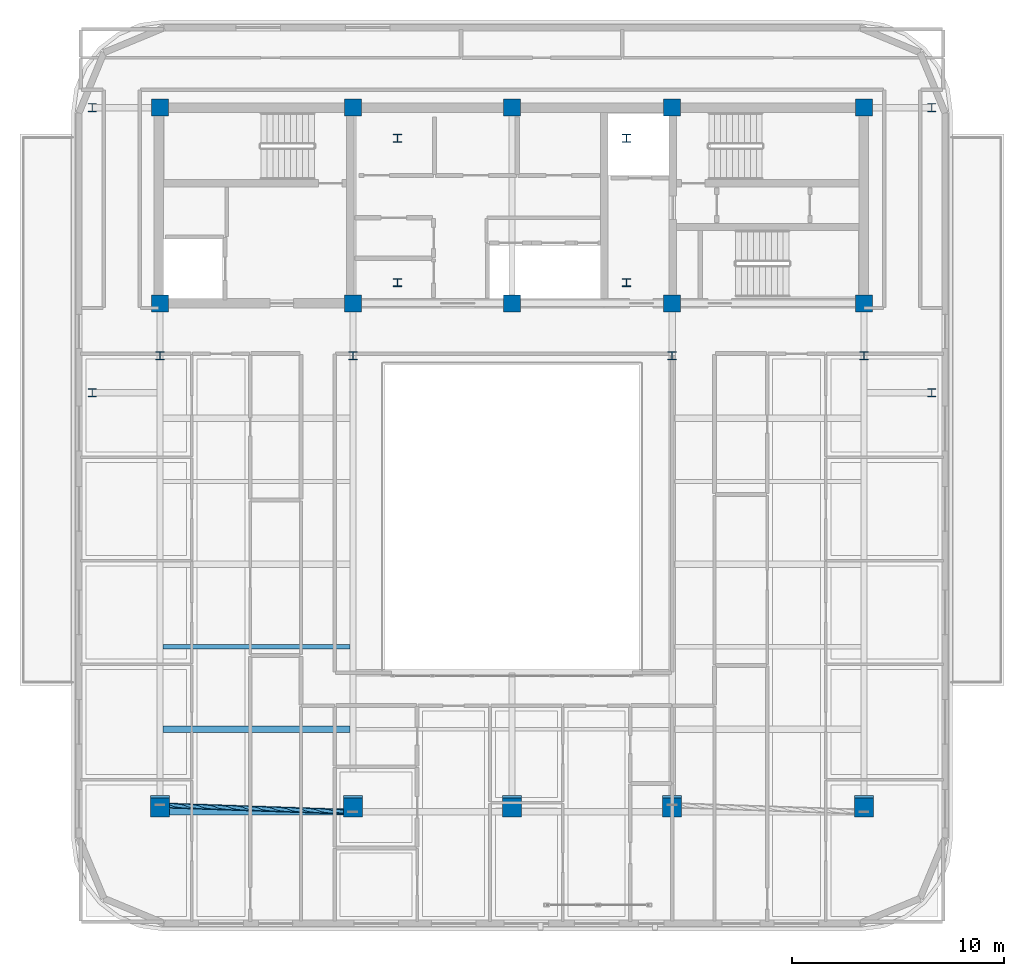
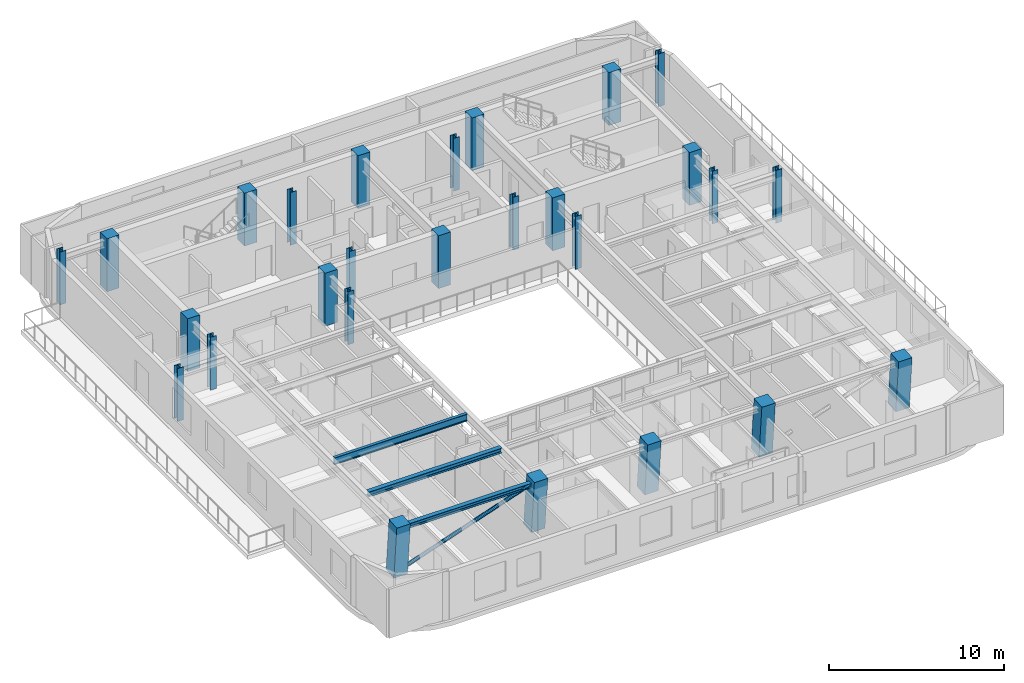
# One storey, part 1 of 14: 27 columns, 3 beams, 1 member.
"""IFC4 building model written with IfcOpenShell, lengths in metres."""

from ifc_helpers import new_model, si_unit, direction, frame, origin, origin_2d, place, context, subcontext, project, spatial, rectangle, hollow_circle, i_section, extrude, material, material_profile, profile_set, type_object, element, save


model = new_model("IFC4")

# Units and contexts
model_context = context("Model", 3, precision=1e-05, world=origin(), true_north=direction((0.0, 1.0)))
body_context = subcontext(model_context, "Body", "Model", "MODEL_VIEW")
ifc_project = project(units=[si_unit("LENGTHUNIT", "METRE"), si_unit("AREAUNIT", "SQUARE_METRE"), si_unit("VOLUMEUNIT", "CUBIC_METRE"), si_unit("PLANEANGLEUNIT", "RADIAN"), si_unit("MASSUNIT", "GRAM", prefix="KILO")], contexts=[model_context])

# Site, building, storey
site_placement = place(None, origin())
site = spatial("IfcSite", under=ifc_project, at=site_placement, CompositionType="ELEMENT")
building_placement = place(site_placement, origin())
building = spatial("IfcBuilding", under=site, at=building_placement, Name="Zarnavel Station Tower", CompositionType="ELEMENT")
storey_placement = place(building_placement, frame((0.0, 0.0, 243.60009765625)))
storey = spatial("IfcBuildingStorey", under=building, at=storey_placement, Name="L66", CompositionType="ELEMENT", Elevation=243.60009765625)

# Columns
ifc_material_1 = material(Name="Steel S355J2", Category="steel")
ifc_material_profile_1 = material_profile(ifc_material_1, i_section(OverallWidth=0.407958984375, OverallDepth=0.39990234375, WebThickness=0.02490234375, FlangeThickness=0.0390625, FilletRadius=0.014892578125, at=origin_2d()), Name="HD400x287")
ifc_profile_set_1 = profile_set([ifc_material_profile_1], Name="Steel S355J2")
column_type_1 = type_object("IfcColumnType", Name="EC_HD287", PredefinedType="COLUMN", material=ifc_profile_set_1)
for number, where, z_axis, x_axis, name in (
    (1, (9.0, 23.60009765625, 0.0), (0.0, 0.0, 1.0), (1.0, 0.0, 0.0), "L66 Inner Wing Spine Column 1-1"),
    (2, (9.0, 37.050048828125, 0.0), (0.0, 0.0, 1.0), (1.0, 0.0, 0.0), "L66 Inner Wing Spine Column 1-2"),
    (3, (48.60009765625, 23.60009765625, 0.0), (0.0, 0.0, 1.0), (1.0, 0.0, 0.0), "L66 Inner Wing Spine Column 2-1"),
    (4, (48.60009765625, 37.050048828125, 0.0), (0.0, 0.0, 1.0), (1.0, 0.0, 0.0), "L66 Inner Wing Spine Column 2-2"),
):
    element("IfcColumn", number, at=place(storey_placement, frame(where, z_axis=z_axis, x_axis=x_axis)), inside=storey, type_object=column_type_1, Name=name, PredefinedType="COLUMN", context=body_context, shape_type="SweptSolid", body=[
        extrude(i_section(OverallWidth=0.407958984375, OverallDepth=0.39990234375, WebThickness=0.02490234375, FlangeThickness=0.0390625, FilletRadius=0.014892578125, at=origin_2d()), origin(), (0.0, 0.0, 1.0), 3.699951171875),
    ])
ifc_material_2 = material(Name="Steel S355J2", Category="steel")
ifc_material_profile_2 = material_profile(ifc_material_2, i_section(OverallWidth=0.39501953125, OverallDepth=0.3798828125, WebThickness=0.018798828125, FlangeThickness=0.0302734375, FilletRadius=0.014892578125, at=origin_2d()), Name="HD400x237")
ifc_profile_set_2 = profile_set([ifc_material_profile_2], Name="Steel S355J2")
column_type_2 = type_object("IfcColumnType", Name="IC_HD237", PredefinedType="COLUMN", material=ifc_profile_set_2)
for number, where, z_axis, x_axis, name in (
    (5, (23.39990234375, 28.800048828125, 0.0), (0.0, 0.0, 1.0), (1.0, 0.0, 0.0), "L66 Mast Spine Column 1"),
    (6, (34.199951171875, 28.800048828125, 0.0), (0.0, 0.0, 1.0), (1.0, 0.0, 0.0), "L66 Mast Spine Column 2"),
    (7, (34.199951171875, 35.60009765625, 0.0), (0.0, 0.0, 1.0), (1.0, 0.0, 0.0), "L66 Mast Spine Column 3"),
    (8, (23.39990234375, 35.60009765625, 0.0), (0.0, 0.0, 1.0), (1.0, 0.0, 0.0), "L66 Mast Spine Column 4"),
    (9, (12.199951171875, 25.35009765625, 0.0), (0.0, 0.0, 1.0), (1.0, 0.0, 0.0), "L66 Inner Spine Column 1"),
    (10, (21.300048828125, 25.35009765625, 0.0), (0.0, 0.0, 1.0), (1.0, 0.0, 0.0), "L66 Inner Spine Column 2"),
    (11, (36.35009765625, 25.35009765625, 0.0), (0.0, 0.0, 1.0), (1.0, 0.0, 0.0), "L66 Inner Spine Column 4"),
    (12, (45.39990234375, 25.35009765625, 0.0), (0.0, 0.0, 1.0), (1.0, 0.0, 0.0), "L66 Inner Spine Column 5"),
):
    element("IfcColumn", number, at=place(storey_placement, frame(where, z_axis=z_axis, x_axis=x_axis)), inside=storey, type_object=column_type_2, Name=name, PredefinedType="COLUMN", context=body_context, shape_type="SweptSolid", body=[
        extrude(i_section(OverallWidth=0.39501953125, OverallDepth=0.3798828125, WebThickness=0.018798828125, FlangeThickness=0.0302734375, FilletRadius=0.014892578125, at=origin_2d()), origin(), (0.0, 0.0, 1.0), 3.699951171875),
    ])
ifc_material_3 = material(Name="Concrete C45/55", Category="concrete")
ifc_material_profile_3 = material_profile(ifc_material_3, rectangle(XDim=0.800048828125, YDim=0.800048828125, at=origin_2d()), Name="RC800x800")
ifc_profile_set_3 = profile_set([ifc_material_profile_3], Name="Concrete C45/55")
column_type_3 = type_object("IfcColumnType", Name="IC_RC800", PredefinedType="COLUMN", material=ifc_profile_set_3)
for number, where, z_axis, x_axis, name in (
    (13, (12.199951171875, 27.820068359375, 0.0), (0.0, 0.0, 1.0), (1.0, 0.0, 0.0), "L66 Core Spine Column 1-1"),
    (14, (12.199951171875, 37.050048828125, 0.0), (0.0, 0.0, 1.0), (1.0, 0.0, 0.0), "L66 Core Spine Column 1-2"),
    (15, (21.300048828125, 27.820068359375, 0.0), (0.0, 0.0, 1.0), (1.0, 0.0, 0.0), "L66 Core Spine Column 2-1"),
    (16, (21.300048828125, 37.050048828125, 0.0), (0.0, 0.0, 1.0), (1.0, 0.0, 0.0), "L66 Core Spine Column 2-2"),
    (17, (28.800048828125, 27.820068359375, 0.0), (0.0, 0.0, 1.0), (1.0, 0.0, 0.0), "L66 Core Spine Column 3-1"),
    (18, (28.800048828125, 37.050048828125, 0.0), (0.0, 0.0, 1.0), (1.0, 0.0, 0.0), "L66 Core Spine Column 3-2"),
    (19, (36.35009765625, 27.820068359375, 0.0), (0.0, 0.0, 1.0), (1.0, 0.0, 0.0), "L66 Core Spine Column 4-1"),
    (20, (36.35009765625, 37.050048828125, 0.0), (0.0, 0.0, 1.0), (1.0, 0.0, 0.0), "L66 Core Spine Column 4-2"),
    (21, (45.39990234375, 27.820068359375, 0.0), (0.0, 0.0, 1.0), (1.0, 0.0, 0.0), "L66 Core Spine Column 5-1"),
    (22, (45.39990234375, 37.050048828125, 0.0), (0.0, 0.0, 1.0), (1.0, 0.0, 0.0), "L66 Core Spine Column 5-2"),
):
    element("IfcColumn", number, at=place(storey_placement, frame(where, z_axis=z_axis, x_axis=x_axis)), inside=storey, type_object=column_type_3, Name=name, PredefinedType="COLUMN", context=body_context, shape_type="SweptSolid", body=[
        extrude(rectangle(XDim=0.800048828125, YDim=0.800048828125, at=origin_2d()), origin(), (0.0, 0.0, 1.0), 3.699951171875),
    ])
ifc_material_4 = material(Name="Concrete C50/60", Category="concrete")
ifc_material_profile_4 = material_profile(ifc_material_4, rectangle(XDim=0.89990234375, YDim=0.89990234375, at=origin_2d()), Name="RC900x900")
ifc_profile_set_4 = profile_set([ifc_material_profile_4], Name="Concrete C50/60")
column_type_4 = type_object("IfcColumnType", Name="MC_RC900", PredefinedType="COLUMN", material=ifc_profile_set_4)
for number, where, z_axis, x_axis, name in (
    (23, (12.199951171875, 4.15283203125, 0.0), (0.0, -0.090227632116, 0.995921168769), (1.0, 0.0, 0.0), "L66 Raked South Mega-Column 1"),
    (24, (21.300048828125, 4.15283203125, 0.0), (0.0, -0.090227632116, 0.995921168769), (1.0, 0.0, 0.0), "L66 Raked South Mega-Column 2"),
    (25, (28.800048828125, 4.15283203125, 0.0), (0.0, -0.090227632116, 0.995921168769), (1.0, 0.0, 0.0), "L66 Raked South Mega-Column 3"),
    (26, (36.35009765625, 4.15283203125, 0.0), (0.0, -0.090227632116, 0.995921168769), (1.0, 0.0, 0.0), "L66 Raked South Mega-Column 4"),
    (27, (45.39990234375, 4.15283203125, 0.0), (0.0, -0.090227632116, 0.995921168769), (1.0, 0.0, 0.0), "L66 Raked South Mega-Column 5"),
):
    element("IfcColumn", number, at=place(storey_placement, frame(where, z_axis=z_axis, x_axis=x_axis)), inside=storey, type_object=column_type_4, Name=name, PredefinedType="COLUMN", context=body_context, shape_type="SweptSolid", body=[
        extrude(rectangle(XDim=0.89990234375, YDim=0.89990234375, at=origin_2d()), origin(), (0.0, 0.0, 1.0), 3.715087890625),
    ])

# Member
ifc_material_5 = material(Name="Steel S355J2", Category="steel")
ifc_material_profile_5 = material_profile(ifc_material_5, hollow_circle(Radius=0.122314453125, WallThickness=0.010009765625, at=origin_2d()), Name="CHS244.5x10")
ifc_profile_set_5 = profile_set([ifc_material_profile_5], Name="Steel S355J2")
member_type = type_object("IfcMemberType", Name="DB_EXT_CHS245", PredefinedType="BRACE", material=ifc_profile_set_5)
member_placement = place(storey_placement, frame((12.199951171875, 4.15283203125, 0.0), z_axis=(0.935604187908, -0.031852811999, 0.351610867205), x_axis=(0.034025465636, 0.999420966204, 0.0)))
element("IfcMember", 28, at=member_placement, inside=storey, type_object=member_type, Name="L66 Persian Exterior Diagonal Frame Brace 1", PredefinedType="BRACE", context=body_context, shape_type="SweptSolid", body=[
    extrude(hollow_circle(Radius=0.122314453125, WallThickness=0.010009765625, at=origin_2d()), origin(), (0.0, 0.0, 1.0), 9.726318359375),
])

# Beams
ifc_material_6 = material(Name="Steel S355J2", Category="steel")
ifc_material_profile_6 = material_profile(ifc_material_6, i_section(OverallWidth=0.300048828125, OverallDepth=0.320068359375, WebThickness=0.011474609375, FlangeThickness=0.0205078125, FilletRadius=0.027099609375, at=origin_2d()), Name="HEB320")
ifc_profile_set_6 = profile_set([ifc_material_profile_6], Name="Steel S355J2")
beam_type_1 = type_object("IfcBeamType", Name="EB_HEB320", PredefinedType="SPANDREL", material=ifc_profile_set_6)
beam_1_placement = place(storey_placement, frame((12.199951171875, 3.843017578125, 3.260009765625), z_axis=(1.0, 0.0, 0.0), x_axis=(0.0, 1.0, 0.0)))
element("IfcBeam", 29, at=beam_1_placement, inside=storey, type_object=beam_type_1, Name="L66 South Raked Spandrel 1", PredefinedType="SPANDREL", context=body_context, shape_type="SweptSolid", body=[
    extrude(i_section(OverallWidth=0.300048828125, OverallDepth=0.320068359375, WebThickness=0.011474609375, FlangeThickness=0.0205078125, FilletRadius=0.027099609375, at=origin_2d()), origin(), (0.0, 0.0, 1.0), 9.10009765625),
])
ifc_material_7 = material(Name="Steel S355J2", Category="steel")
ifc_material_profile_7 = material_profile(ifc_material_7, i_section(OverallWidth=0.300048828125, OverallDepth=0.35009765625, WebThickness=0.010009765625, FlangeThickness=0.017578125, FilletRadius=0.027099609375, at=origin_2d()), Name="HEA360")
ifc_profile_set_7 = profile_set([ifc_material_profile_7], Name="Steel S355J2")
beam_type_2 = type_object("IfcBeamType", Name="FB_HEA360", PredefinedType="BEAM", material=ifc_profile_set_7)
beam_2_placement = place(storey_placement, frame((12.344970703125, 7.73583984375, 3.244873046875), z_axis=(1.0, 0.0, 0.0), x_axis=(0.0, 1.0, 0.0)))
element("IfcBeam", 30, at=beam_2_placement, inside=storey, type_object=beam_type_2, Name="L66 West Bay Beam 1", PredefinedType="BEAM", context=body_context, shape_type="SweptSolid", body=[
    extrude(i_section(OverallWidth=0.300048828125, OverallDepth=0.35009765625, WebThickness=0.010009765625, FlangeThickness=0.017578125, FilletRadius=0.027099609375, at=origin_2d()), origin(), (0.0, 0.0, 1.0), 8.81005859375),
])
ifc_material_8 = material(Name="Steel S355J2", Category="steel")
ifc_material_profile_8 = material_profile(ifc_material_8, i_section(OverallWidth=0.199951171875, OverallDepth=0.5, WebThickness=0.01025390625, FlangeThickness=0.01611328125, FilletRadius=0.02099609375, at=origin_2d()), Name="IPE500")
ifc_profile_set_8 = profile_set([ifc_material_profile_8], Name="Steel S355J2")
beam_type_3 = type_object("IfcBeamType", Name="FB_IPE500", PredefinedType="BEAM", material=ifc_profile_set_8)
beam_3_placement = place(storey_placement, frame((12.344970703125, 11.628662109375, 3.169921875), z_axis=(1.0, 0.0, 0.0), x_axis=(0.0, 1.0, 0.0)))
element("IfcBeam", 31, at=beam_3_placement, inside=storey, type_object=beam_type_3, Name="L66 West Bay Beam 2", PredefinedType="BEAM", context=body_context, shape_type="SweptSolid", body=[
    extrude(i_section(OverallWidth=0.199951171875, OverallDepth=0.5, WebThickness=0.01025390625, FlangeThickness=0.01611328125, FilletRadius=0.02099609375, at=origin_2d()), origin(), (0.0, 0.0, 1.0), 8.81005859375),
])

save(model, "model.ifc")
